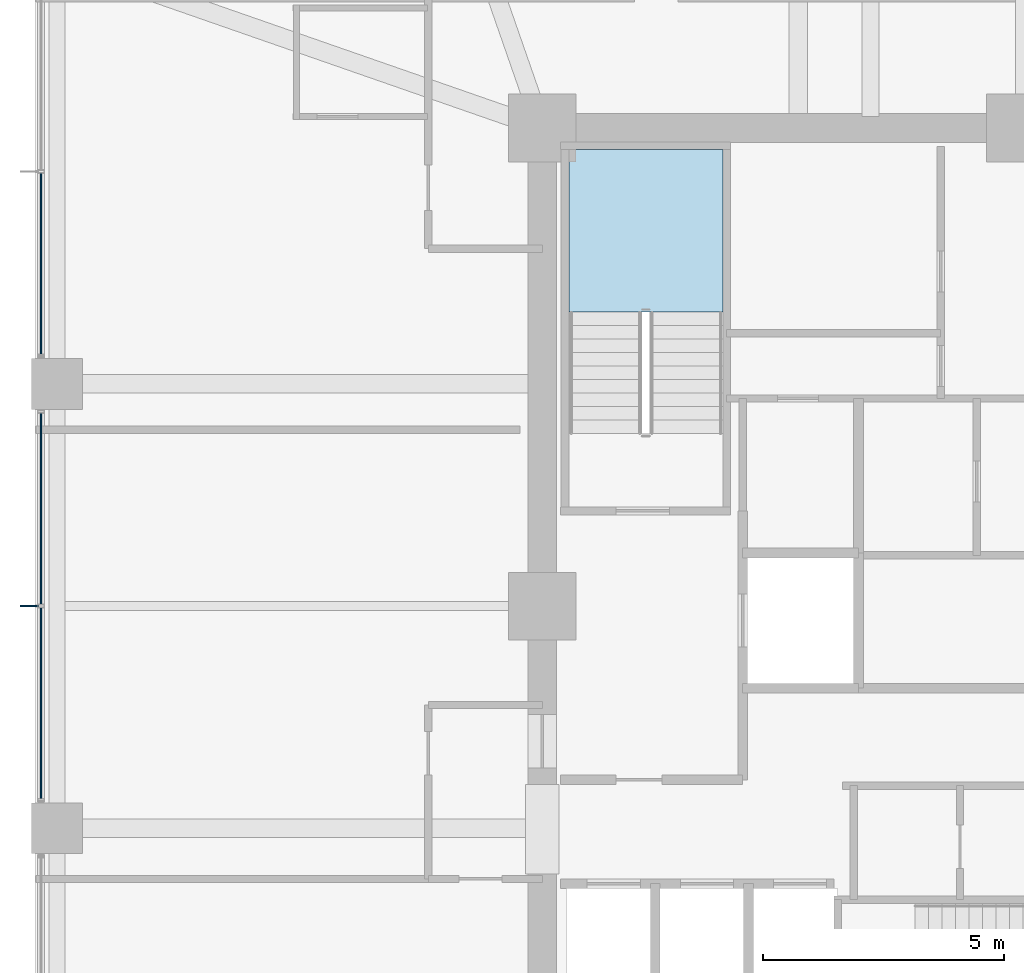
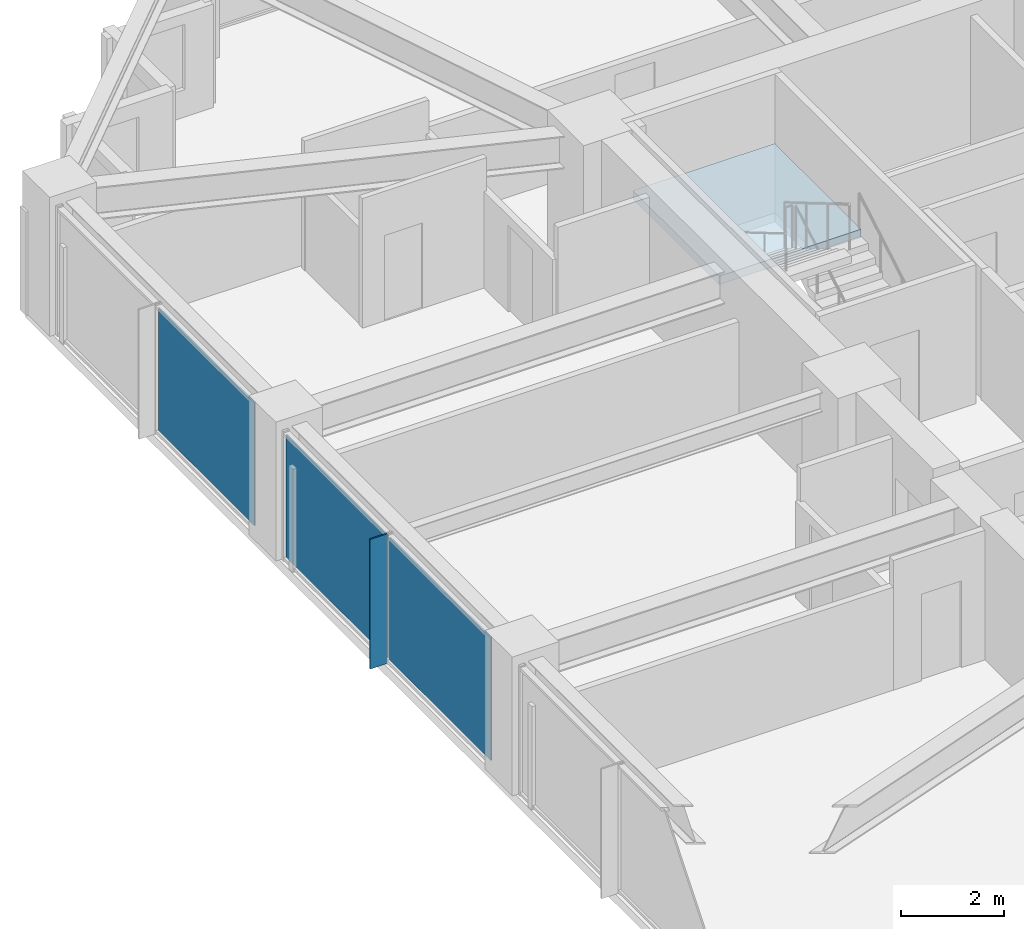
# One storey, part 27 of 38: 4 plates, 1 slab, 3 elements without a shape of their own.
"""IFC4 building model written with IfcOpenShell, lengths in metres."""

import ifcopenshell
import ifcopenshell.guid

model = None  # the IFC model being written
_history = None  # IfcOwnerHistory: only IFC2X3 demands one
_inside = {}  # id of a spatial element -> (the spatial element, [elements in it])
_under = {}  # id of a project, library or spatial element -> (it, [spatial elements below it])
_declared = {}  # id of a project -> (the project, [libraries it declares])
_typed = {}  # id of a type object -> (the type object, [elements of that type])
_made_of = {}  # id of a material, layer set ... -> (it, [elements and type objects made of it])


def new_model(schema):
    """Start an empty IFC model of exactly this schema.

    Asked for "IFC4X3", IfcOpenShell would pick the latest addendum, in which some entities
    have other attributes; the version numbers below select the first issue.
    IFC2X3 requires an IfcOwnerHistory on every rooted entity: one is made here for all.
    """
    global model, _history
    if schema == "IFC4X3":
        model = ifcopenshell.file(schema_version=(4, 3, 0, 0))
    else:
        model = ifcopenshell.file(schema=schema)
    _inside.clear()
    _under.clear()
    _declared.clear()
    _typed.clear()
    _made_of.clear()
    _history = None
    if model.schema == "IFC2X3":
        org = make("IfcOrganization", Name="unknown")
        user = make(
            "IfcPersonAndOrganization",
            ThePerson=make("IfcPerson", FamilyName="unknown"),
            TheOrganization=org,
        )
        app = make(
            "IfcApplication",
            ApplicationDeveloper=org,
            Version="unknown",
            ApplicationFullName="unknown",
            ApplicationIdentifier="unknown",
        )
        _history = make(
            "IfcOwnerHistory",
            OwningUser=user,
            OwningApplication=app,
            ChangeAction="ADDED",
            CreationDate=0,
        )
    return model


def make(cls, **values):
    """One entity of the class cls with the attributes given. An attribute that is None is left unset."""
    return model.create_entity(
        cls, **{name: value for name, value in values.items() if value is not None}
    )


def rooted(cls, **values):
    """An entity with a GlobalId (a new one), such as an element, a storey or a relation."""
    return make(cls, GlobalId=ifcopenshell.guid.new(), OwnerHistory=_history, **values)


def si_unit(unit_type, name, prefix=None):
    """IfcSIUnit, for example si_unit("LENGTHUNIT", "METRE", prefix="MILLI")."""
    return make("IfcSIUnit", UnitType=unit_type, Prefix=prefix, Name=name)


def assignment(units):
    """IfcUnitAssignment: the units of a project."""
    return None if units is None else make("IfcUnitAssignment", Units=units)


def point(xyz):
    """IfcCartesianPoint."""
    return None if xyz is None else make("IfcCartesianPoint", Coordinates=xyz)


def direction(xyz):
    """IfcDirection."""
    return None if xyz is None else make("IfcDirection", DirectionRatios=xyz)


def frame(location, z_axis=None, x_axis=None):
    """IfcAxis2Placement3D, a coordinate frame: its origin and axes. An axis left out is left unset."""
    return make(
        "IfcAxis2Placement3D",
        Location=point(location),
        Axis=direction(z_axis),
        RefDirection=direction(x_axis),
    )


def frame_2d(location, x_axis=None):
    """IfcAxis2Placement2D, a coordinate frame in the plane: its origin and x axis."""
    return make(
        "IfcAxis2Placement2D", Location=point(location), RefDirection=direction(x_axis)
    )


def origin():
    """The frame at (0, 0, 0) with its axes left unset."""
    return frame((0.0, 0.0, 0.0))


def origin_2d():
    """The frame at (0, 0) in the plane with its x axis left unset."""
    return frame_2d((0.0, 0.0))


def place(relative_to, where):
    """IfcLocalPlacement: puts the frame where relative to a parent placement (None: the world)."""
    return make(
        "IfcLocalPlacement", PlacementRelTo=relative_to, RelativePlacement=where
    )


def context(
    kind, dimensions, precision=None, world=None, true_north=None, identifier=None
):
    """IfcGeometricRepresentationContext, for example the 3D "Model" context."""
    return make(
        "IfcGeometricRepresentationContext",
        ContextIdentifier=identifier,
        ContextType=kind,
        CoordinateSpaceDimension=dimensions,
        Precision=precision,
        WorldCoordinateSystem=world,
        TrueNorth=true_north,
    )


def subcontext(parent, identifier, kind, view, scale=None):
    """IfcGeometricRepresentationSubContext, for example "Body" below "Model"."""
    return make(
        "IfcGeometricRepresentationSubContext",
        ContextIdentifier=identifier,
        ContextType=kind,
        ParentContext=parent,
        TargetScale=scale,
        TargetView=view,
    )


def project(units=None, contexts=None):
    """IfcProject with its units and contexts."""
    return rooted(
        "IfcProject",
        Name="project",
        RepresentationContexts=contexts,
        UnitsInContext=assignment(units),
    )


def spatial(cls, under=None, at=None, **own):
    """A site, building, storey or space (cls), placed at a placement, below another one or the project."""
    s = rooted(cls, ObjectPlacement=at, **own)
    if under is not None:
        _under.setdefault(under.id(), (under, []))[1].append(s)
    return s


def polyline(points):
    """IfcPolyline through the points."""
    return make("IfcPolyline", Points=[point(p) for p in points])


def profile(cls, at=None, kind="AREA", **sizes):
    """A parametric profile (cls). Its sizes go by their IFC names, for example OverallWidth=200.0."""
    return make(cls, ProfileType=kind, Position=at, **sizes)


def rectangle(**sizes):
    """IfcRectangleProfileDef."""
    return profile("IfcRectangleProfileDef", **sizes)


def outline(outer, holes=None, kind="AREA"):
    """IfcArbitraryClosedProfileDef: a profile drawn as a closed curve; with holes, ...WithVoids."""
    if holes is None:
        return make("IfcArbitraryClosedProfileDef", ProfileType=kind, OuterCurve=outer)
    return make(
        "IfcArbitraryProfileDefWithVoids",
        ProfileType=kind,
        OuterCurve=outer,
        InnerCurves=holes,
    )


def extrude(swept, where, along, depth):
    """IfcExtrudedAreaSolid: the profile swept, set in the frame where, extruded along a direction by depth."""
    return make(
        "IfcExtrudedAreaSolid",
        SweptArea=swept,
        Position=where,
        ExtrudedDirection=direction(along),
        Depth=depth,
    )


def shape(context_of_items, identifier, shape_type, items):
    """IfcShapeRepresentation: the items that make up one representation, for example the "Body"."""
    return make(
        "IfcShapeRepresentation",
        ContextOfItems=context_of_items,
        RepresentationIdentifier=identifier,
        RepresentationType=shape_type,
        Items=items,
    )


def material(Name=None, Category=None):
    """IfcMaterial."""
    return make("IfcMaterial", Name=Name, Category=Category)


def layer(
    of_material, thickness, ventilated=None, Name=None, Category=None, Priority=None
):
    """IfcMaterialLayer: one layer of a wall or slab, of a material (None: an air gap)."""
    return make(
        "IfcMaterialLayer",
        Material=of_material,
        LayerThickness=thickness,
        IsVentilated=ventilated,
        Name=Name,
        Category=Category,
        Priority=Priority,
    )


def layer_set(layers, Name=None):
    """IfcMaterialLayerSet."""
    return make("IfcMaterialLayerSet", MaterialLayers=layers, LayerSetName=Name)


def made_of(thing, what):
    """Note that an element or type object is made of a material, layer set ...; save() writes the relation."""
    if what is not None:
        _made_of.setdefault(what.id(), (what, []))[1].append(thing)
    return thing


def type_object(cls, material=None, **own):
    """A type object (cls), such as IfcWallType, which elements share."""
    return made_of(rooted(cls, **own), material)


def element(
    cls,
    number,
    at=None,
    inside=None,
    cuts=None,
    type_object=None,
    material=None,
    context=None,
    identifier="Body",
    shape_type=None,
    held_by="IfcProductDefinitionShape",
    body=None,
    shapes=None,
    **own,
):
    """One element of the class cls, such as IfcWall. Its Tag is "e" and its number.

    at: its placement. inside: the storey or other place that contains it. cuts: it is an
    opening in that element (IfcRelVoidsElement). A single representation is given by context,
    identifier, shape_type and body (its items); several are given by shapes. held_by: the class
    of the entity that holds the representations. save() writes the other relations.
    """
    e = rooted(cls, Tag="e%d" % number, ObjectPlacement=at, **own)
    if body is not None:
        shapes = [shape(context, identifier, shape_type, body)]
    if shapes is not None:
        e.Representation = make(held_by, Representations=shapes)
    if inside is not None:
        _inside.setdefault(inside.id(), (inside, []))[1].append(e)
    if cuts is not None:
        rooted(
            "IfcRelVoidsElement", RelatingBuildingElement=cuts, RelatedOpeningElement=e
        )
    if type_object is not None:
        _typed.setdefault(type_object.id(), (type_object, []))[1].append(e)
    return made_of(e, material)


def aggregate(whole, parts):
    """IfcRelAggregates: a whole, such as a stair, and the parts it consists of."""
    return rooted("IfcRelAggregates", RelatingObject=whole, RelatedObjects=parts)


def save(model, path):
    """Write the relations noted so far, then the file.

    IfcRelAggregates (storeys below a building ...), IfcRelContainedInSpatialStructure (elements
    in a storey), IfcRelDefinesByType, IfcRelAssociatesMaterial and IfcRelDeclares: one each for
    every whole, place, type object, material and project.
    """
    for whole, parts in _under.values():
        aggregate(whole, parts)
    for where, things in _inside.values():
        rooted(
            "IfcRelContainedInSpatialStructure",
            RelatedElements=things,
            RelatingStructure=where,
        )
    for kind, things in _typed.values():
        rooted("IfcRelDefinesByType", RelatedObjects=things, RelatingType=kind)
    for what, things in _made_of.values():
        rooted("IfcRelAssociatesMaterial", RelatedObjects=things, RelatingMaterial=what)
    for by, libraries in _declared.values():
        rooted("IfcRelDeclares", RelatingContext=by, RelatedDefinitions=libraries)
    model.write(path)


model = new_model("IFC4")

# Units and contexts
model_context = context("Model", 3, precision=1e-05, world=origin(), true_north=direction((0.0, 1.0)))
body_context = subcontext(model_context, "Body", "Model", "MODEL_VIEW")
ifc_project = project(units=[si_unit("LENGTHUNIT", "METRE"), si_unit("AREAUNIT", "SQUARE_METRE"), si_unit("VOLUMEUNIT", "CUBIC_METRE"), si_unit("PLANEANGLEUNIT", "RADIAN"), si_unit("MASSUNIT", "GRAM", prefix="KILO")], contexts=[model_context])

# Site, building, storey
site_placement = place(None, origin())
site = spatial("IfcSite", under=ifc_project, at=site_placement, CompositionType="ELEMENT")
building_placement = place(site_placement, origin())
building = spatial("IfcBuilding", under=site, at=building_placement, Name="Kolvaren Belvedere", CompositionType="ELEMENT")
storey_placement = place(building_placement, frame((0.0, 0.0, 98.60009765625)))
storey = spatial("IfcBuildingStorey", under=building, at=storey_placement, Name="L28", CompositionType="ELEMENT", Elevation=98.60009765625)

# Curtain wall, plates
ifc_material_1 = material(Name="Anodised pale-metal aluminium AA 6063-T6", Category="aluminium")
curtain_wall_type = type_object("IfcCurtainWallType", Name="CW-Z2-MID", PredefinedType="NOTDEFINED", material=ifc_material_1)
curtain_wall_1_placement = place(storey_placement, origin())
curtain_wall_1 = element("IfcCurtainWall", 1, at=curtain_wall_1_placement, inside=storey, type_object=curtain_wall_type, Name="L28 Unitised Curtain Wall FCW-L28-W-B2", PredefinedType="NOTDEFINED")
ifc_material_2 = material(Name="Low-iron triple insulated glass", Category="glass")
ifc_layer_1 = layer(ifc_material_2, 0.028076171875)
ifc_layer_set_1 = layer_set([ifc_layer_1], Name="Low-iron triple insulated glass")
plate_type_1 = type_object("IfcPlateType", Name="CW-PNL-VIS28", PredefinedType="CURTAIN_PANEL", material=ifc_layer_set_1)
plate_1_placement = place(storey_placement, frame((-20.280029296875, -2.01123046875, 0.079833984375), z_axis=(0.0, 0.0, 1.0), x_axis=(0.0, 1.0, 0.0)))
plate_1 = element("IfcPlate", 2, at=plate_1_placement, type_object=plate_type_1, Name="FCW-L28-W-B2 Vision Glazing Panel 1", PredefinedType="CURTAIN_PANEL", context=body_context, shape_type="SweptSolid", body=[
    extrude(rectangle(XDim=3.9423828125, YDim=0.028076171875, at=origin_2d()), origin(), (0.0, 0.0, 1.0), 2.919921875),
])
plate_2_placement = place(storey_placement, frame((-20.280029296875, 2.01123046875, 0.079833984375), z_axis=(0.0, 0.0, 1.0), x_axis=(0.0, 1.0, 0.0)))
plate_2 = element("IfcPlate", 3, at=plate_2_placement, type_object=plate_type_1, Name="FCW-L28-W-B2 Vision Glazing Panel 2", PredefinedType="CURTAIN_PANEL", context=body_context, shape_type="SweptSolid", body=[
    extrude(rectangle(XDim=3.9423828125, YDim=0.028076171875, at=origin_2d()), origin(), (0.0, 0.0, 1.0), 2.919921875),
])
aggregate(curtain_wall_1, [plate_1, plate_2])

# Curtain wall, plate
curtain_wall_2_placement = place(storey_placement, origin())
curtain_wall_2 = element("IfcCurtainWall", 4, at=curtain_wall_2_placement, inside=storey, type_object=curtain_wall_type, Name="L28 Unitised Curtain Wall FCW-L28-W-B3", PredefinedType="NOTDEFINED")
plate_3_placement = place(storey_placement, frame((-20.280029296875, 7.0888671875, 0.079833984375), z_axis=(0.0, 0.0, 1.0), x_axis=(0.0, 1.0, 0.0)))
plate_3 = element("IfcPlate", 5, at=plate_3_placement, type_object=plate_type_1, Name="FCW-L28-W-B3 Vision Glazing Panel 1", PredefinedType="CURTAIN_PANEL", context=body_context, shape_type="SweptSolid", body=[
    extrude(rectangle(XDim=3.742431640625, YDim=0.028076171875, at=origin_2d()), origin(), (0.0, 0.0, 1.0), 2.919921875),
])
aggregate(curtain_wall_2, [plate_3])

# Plate
ifc_material_3 = material(Name="Anodised pale-metal aluminium AA 6063-T6", Category="aluminium")
ifc_layer_2 = layer(ifc_material_3, 0.033935546875)
ifc_layer_set_2 = layer_set([ifc_layer_2], Name="Anodised pale-metal aluminium AA 6063-T6")
plate_type_2 = type_object("IfcPlateType", Name="FIN-VERT-380", PredefinedType="USERDEFINED", material=ifc_layer_set_2)
plate_4_placement = place(storey_placement, frame((-20.52490234375, 0.0, -0.000244140625), z_axis=(0.0, 0.0, 1.0), x_axis=(1.0, 0.0, 0.0)))
element("IfcPlate", 6, at=plate_4_placement, inside=storey, type_object=plate_type_2, Name="L28 Pale-Metal Vertical Shading Fin FCW-L28-W-B2-1", ObjectType="VERTICAL FIN", PredefinedType="USERDEFINED", context=body_context, shape_type="SweptSolid", body=[
    extrude(rectangle(XDim=0.3798828125, YDim=0.033935546875, at=origin_2d()), origin(), (0.0, 0.0, 1.0), 3.080078125),
])

# Stair, slab
ifc_material_4 = material(Name="Concrete C50/60", Category="concrete")
stair_type = type_object("IfcStairType", Name="ST-CORE-1520", PredefinedType="HALF_TURN_STAIR", material=ifc_material_4)
stair_placement = place(storey_placement, origin())
stair = element("IfcStair", 7, at=stair_placement, inside=storey, type_object=stair_type, Name="L28 Protected Exit Stair ST-1", PredefinedType="HALF_TURN_STAIR")
ifc_material_5 = material(Name="Concrete C50/60", Category="concrete")
ifc_layer_3 = layer(ifc_material_5, 0.260009765625)
ifc_layer_set_3 = layer_set([ifc_layer_3], Name="Concrete C50/60")
slab_type = type_object("IfcSlabType", Name="SL-LAND-260", PredefinedType="LANDING", material=ifc_layer_set_3)
slab_placement = place(storey_placement, frame((0.0, 0.0, 1.449951171875)))
slab = element("IfcSlab", 8, at=slab_placement, type_object=slab_type, Name="ST-1 landing 1", PredefinedType="LANDING", context=body_context, shape_type="SweptSolid", body=[
    extrude(outline(polyline([(-6.159912109375, 6.090087890625), (-6.159912109375, 9.449951171875), (-9.35009765625, 9.449951171875), (-9.35009765625, 6.090087890625), (-6.159912109375, 6.090087890625)])), origin(), (0.0, 0.0, 1.0), 0.199951171875),
])
aggregate(stair, [slab])

save(model, "model.ifc")
